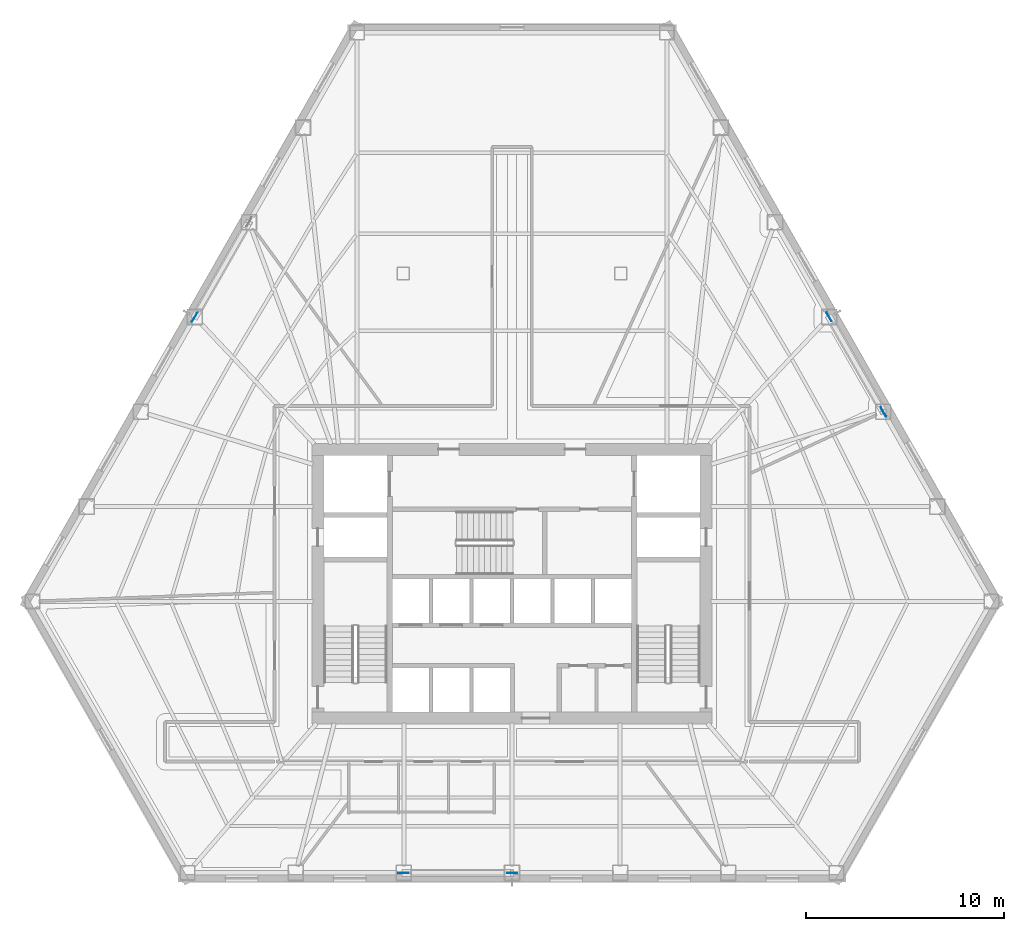
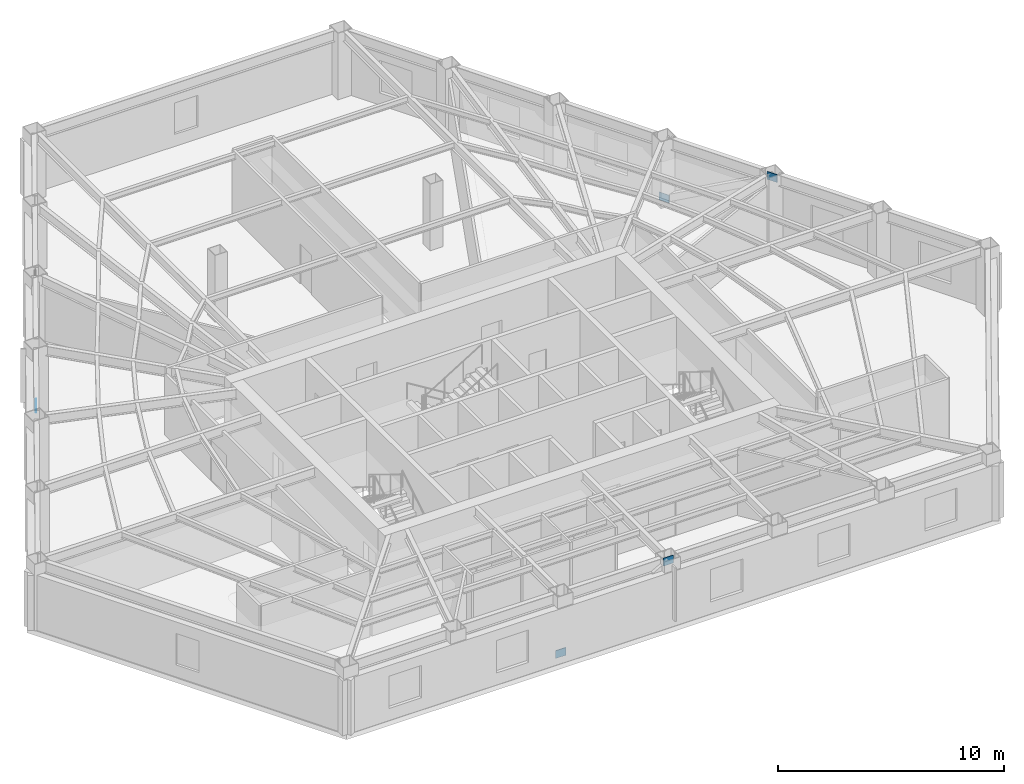
# One storey, part 4 of 11: 5 plates.
"""IFC4 building model written with IfcOpenShell, lengths in metres."""

from ifc_helpers import new_model, si_unit, direction, frame, origin, origin_2d, place, context, subcontext, project, spatial, rectangle, extrude, material, layer, layer_set, type_object, element, save


model = new_model("IFC4")

# Units and contexts
model_context = context("Model", 3, precision=1e-05, world=origin(), true_north=direction((0.0, 1.0)))
body_context = subcontext(model_context, "Body", "Model", "MODEL_VIEW")
ifc_project = project(units=[si_unit("LENGTHUNIT", "METRE"), si_unit("AREAUNIT", "SQUARE_METRE"), si_unit("VOLUMEUNIT", "CUBIC_METRE"), si_unit("PLANEANGLEUNIT", "RADIAN"), si_unit("MASSUNIT", "GRAM", prefix="KILO")], contexts=[model_context])

# Site, building, storey
site_placement = place(None, origin())
site = spatial("IfcSite", under=ifc_project, at=site_placement, CompositionType="ELEMENT")
building_placement = place(site_placement, origin())
building = spatial("IfcBuilding", under=site, at=building_placement, Name="Kavelnor Concourse Tower", CompositionType="ELEMENT")
storey_placement = place(building_placement, frame((0.0, 0.0, 25.25)))
storey = spatial("IfcBuildingStorey", under=building, at=storey_placement, Name="L06", CompositionType="ELEMENT", Elevation=25.25)

# Plates
ifc_material = material(Name="Steel Grade 350", Category="steel")
ifc_layer = layer(ifc_material, 0.031982421875, Name="Steel Grade 350")
ifc_layer_set = layer_set([ifc_layer], Name="Steel Grade 350")
plate_type = type_object("IfcPlateType", Name="PL-GUSSET-TUBE-Z1", PredefinedType="USERDEFINED", material=ifc_layer_set)
for number, where, z_axis, x_axis, name in (
    (1, (21.9404296875, 29.58642578125, 0.010009765625), (0.0, 0.0, 1.0), (0.495761847839, 0.86845851382, 0.0), "L06 Tube Brace Gusset GP3 F0-B2 End Gusset A"),
    (2, (32.513671875, 1.462890625, 0.010009765625), (0.0, 0.0, 1.0), (1.0, 0.0, 0.0), "L06 Tube Brace Gusset GP3 F1-B2 End Gusset A"),
    (3, (38.011962890625, 1.462890625, 3.073974609375), (0.0, 0.0, 1.0), (1.0, 0.0, 0.0), "L06 Tube Brace Gusset GP3 F1-B2 End Gusset B"),
    (4, (54.047607421875, 29.607177734375, 0.010009765625), (0.0, 0.0, 1.0), (0.495761847839, -0.86845851382, 0.0), "L06 Tube Brace Gusset GP3 F2-B2 End Gusset A"),
    (5, (56.79736328125, 24.78955078125, 3.073974609375), (0.0, 0.0, 1.0), (0.495761847839, -0.86845851382, 0.0), "L06 Tube Brace Gusset GP3 F2-B2 End Gusset B"),
):
    element("IfcPlate", number, at=place(storey_placement, frame(where, z_axis=z_axis, x_axis=x_axis)), inside=storey, type_object=plate_type, Name=name, ObjectType="GUSSET_PLATE", PredefinedType="USERDEFINED", context=body_context, shape_type="SweptSolid", body=[
        extrude(rectangle(XDim=0.52001953125, YDim=0.031982421875, at=origin_2d()), origin(), (0.0, 0.0, 1.0), 0.419921875),
    ])

save(model, "model.ifc")
